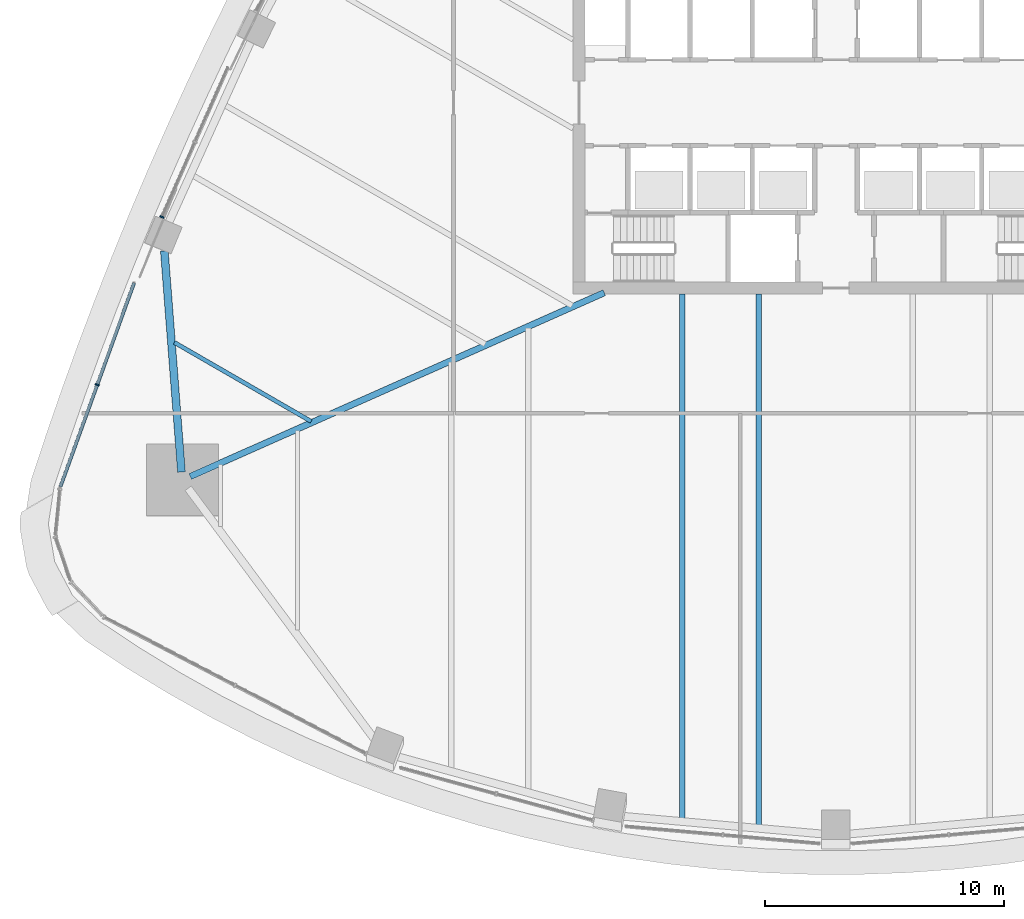
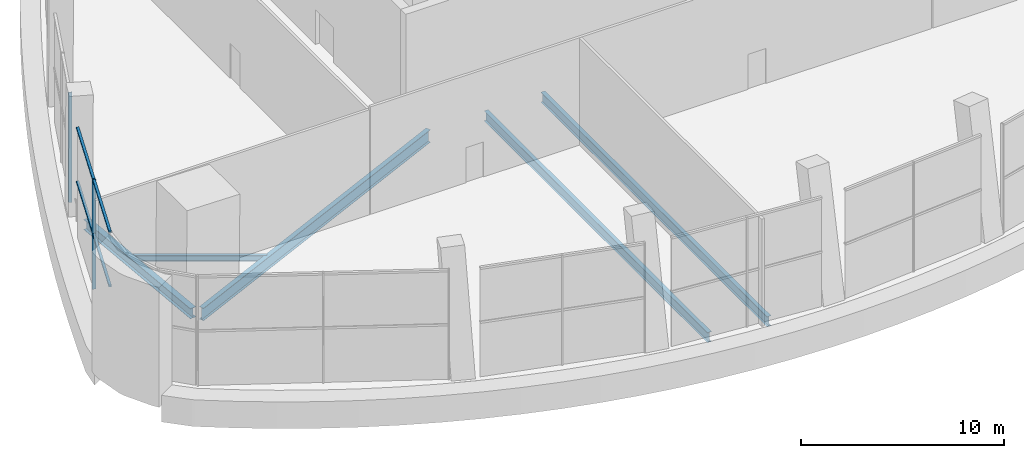
# One storey, part 3 of 23: 6 members, 5 beams, 2 elements without a shape of their own.
"""IFC4 building model written with IfcOpenShell, lengths in metres."""

from ifc_helpers import new_model, si_unit, direction, frame, origin, origin_2d, place, context, subcontext, project, spatial, rectangle, i_section, extrude, material, layer, layer_set, material_profile, profile_set, type_object, element, aggregate, save


model = new_model("IFC4")

# Units and contexts
model_context = context("Model", 3, precision=1e-05, world=origin(), true_north=direction((0.0, 1.0)))
body_context = subcontext(model_context, "Body", "Model", "MODEL_VIEW")
ifc_project = project(units=[si_unit("LENGTHUNIT", "METRE"), si_unit("AREAUNIT", "SQUARE_METRE"), si_unit("VOLUMEUNIT", "CUBIC_METRE"), si_unit("PLANEANGLEUNIT", "RADIAN"), si_unit("MASSUNIT", "GRAM", prefix="KILO")], contexts=[model_context])

# Site, building, storey
site_placement = place(None, origin())
site = spatial("IfcSite", under=ifc_project, at=site_placement, CompositionType="ELEMENT")
building_placement = place(site_placement, origin())
building = spatial("IfcBuilding", under=site, at=building_placement, Name="Sierra Prisma Convention Tower", CompositionType="ELEMENT")
storey_placement = place(building_placement, frame((0.0, 0.0, 40.800048828125)))
storey = spatial("IfcBuildingStorey", under=building, at=storey_placement, Name="L06", CompositionType="ELEMENT", Elevation=40.800048828125)

# Curtain wall, member
ifc_material_1 = material(Name="Aluminium and glass curtain wall", Category="aluminium")
ifc_layer = layer(ifc_material_1, 0.179931640625)
ifc_layer_set = layer_set([ifc_layer], Name="CW-4 Sky lobby double-height curtain wall")
curtain_wall_type = type_object("IfcCurtainWallType", Name="CW-4 Sky lobby double-height curtain wall", PredefinedType="NOTDEFINED", material=ifc_layer_set)
curtain_wall_1_placement = place(storey_placement, origin())
curtain_wall_1 = element("IfcCurtainWall", 1, at=curtain_wall_1_placement, inside=storey, type_object=curtain_wall_type, Name="CW-4 NW5 L06", PredefinedType="NOTDEFINED")
ifc_material_2 = material(Name="Aluminium 6063-T6 bronze anodised", Category="aluminium")
ifc_material_profile_1 = material_profile(ifc_material_2, rectangle(XDim=0.179931640625, YDim=0.070068359375, at=origin_2d()), Name="ALU MULLION 70x180")
ifc_profile_set_1 = profile_set([ifc_material_profile_1], Name="Aluminium 6063-T6 bronze anodised")
member_type_1 = type_object("IfcMemberType", Name="CW mullion bronze", PredefinedType="MULLION", material=ifc_profile_set_1)
member_1_placement = place(storey_placement, frame((-28.20166015625, -4.782958984375, 0.0), z_axis=(0.0, 0.0, 1.0), x_axis=(0.915207126716, -0.40298376544, 0.0)))
member_1 = element("IfcMember", 2, at=member_1_placement, type_object=member_type_1, Name="CW-4 mullion NW5.3", PredefinedType="MULLION", context=body_context, shape_type="SweptSolid", body=[
    extrude(rectangle(XDim=0.179931640625, YDim=0.070068359375, at=origin_2d()), origin(), (0.0, 0.0, 1.0), 6.599853515625),
])
aggregate(curtain_wall_1, [member_1])

# Curtain wall, members
curtain_wall_2_placement = place(storey_placement, origin())
curtain_wall_2 = element("IfcCurtainWall", 3, at=curtain_wall_2_placement, inside=storey, type_object=curtain_wall_type, Name="CW-4 NW6 L06", PredefinedType="NOTDEFINED")
member_2_placement = place(storey_placement, frame((-30.905517578125, -11.8017578125, 0.0), z_axis=(0.0, 0.0, 1.0), x_axis=(0.94047850011, -0.339853190115, 0.0)))
member_2 = element("IfcMember", 4, at=member_2_placement, type_object=member_type_1, Name="CW-4 mullion NW6.2", PredefinedType="MULLION", context=body_context, shape_type="SweptSolid", body=[
    extrude(rectangle(XDim=0.179931640625, YDim=0.070068359375, at=origin_2d()), origin(), (0.0, 0.0, 1.0), 6.599853515625),
])
ifc_material_3 = material(Name="Aluminium 6063-T6 bronze anodised", Category="aluminium")
ifc_material_profile_2 = material_profile(ifc_material_3, rectangle(XDim=0.139892578125, YDim=0.1201171875, at=origin_2d()), Name="ALU TRANSOM 120x140")
ifc_profile_set_2 = profile_set([ifc_material_profile_2], Name="Aluminium 6063-T6 bronze anodised")
member_type_2 = type_object("IfcMemberType", Name="CW transom bronze", PredefinedType="USERDEFINED", material=ifc_profile_set_2)
member_3_placement = place(storey_placement, frame((-29.36328125, -7.533935546875, 6.5400390625), z_axis=(-0.339844307488, -0.940481709906, 0.0), x_axis=(0.940481709906, -0.339844307488, 0.0)))
member_3 = element("IfcMember", 5, at=member_3_placement, type_object=member_type_2, Name="CW-4 transom NW6.1", ObjectType="TRANSOM", PredefinedType="USERDEFINED", context=body_context, shape_type="SweptSolid", body=[
    extrude(rectangle(XDim=0.139892578125, YDim=0.1201171875, at=origin_2d()), origin(), (0.0, 0.0, 1.0), 4.5029296875),
])
member_4_placement = place(storey_placement, frame((-29.36328125, -7.533935546875, 3.300048828125), z_axis=(-0.339844307488, -0.940481709906, 0.0), x_axis=(0.940481709906, -0.339844307488, 0.0)))
member_4 = element("IfcMember", 6, at=member_4_placement, type_object=member_type_2, Name="CW-4 transom NW6.1 mid", ObjectType="TRANSOM", PredefinedType="USERDEFINED", context=body_context, shape_type="SweptSolid", body=[
    extrude(rectangle(XDim=0.139892578125, YDim=0.1201171875, at=origin_2d()), origin(), (0.0, 0.0, 1.0), 4.5029296875),
])
member_5_placement = place(storey_placement, frame((-30.917236328125, -11.834716796875, 6.5400390625), z_axis=(-0.339861637628, -0.940475447457, 0.0), x_axis=(0.940475447457, -0.339861637628, 0.0)))
member_5 = element("IfcMember", 7, at=member_5_placement, type_object=member_type_2, Name="CW-4 transom NW6.2", ObjectType="TRANSOM", PredefinedType="USERDEFINED", context=body_context, shape_type="SweptSolid", body=[
    extrude(rectangle(XDim=0.139892578125, YDim=0.1201171875, at=origin_2d()), origin(), (0.0, 0.0, 1.0), 4.502685546875),
])
member_6_placement = place(storey_placement, frame((-30.917236328125, -11.834716796875, 3.300048828125), z_axis=(-0.339861637628, -0.940475447457, 0.0), x_axis=(0.940475447457, -0.339861637628, 0.0)))
member_6 = element("IfcMember", 8, at=member_6_placement, type_object=member_type_2, Name="CW-4 transom NW6.2 mid", ObjectType="TRANSOM", PredefinedType="USERDEFINED", context=body_context, shape_type="SweptSolid", body=[
    extrude(rectangle(XDim=0.139892578125, YDim=0.1201171875, at=origin_2d()), origin(), (0.0, 0.0, 1.0), 4.502685546875),
])
aggregate(curtain_wall_2, [member_2, member_3, member_4, member_5, member_6])

# Beams
ifc_material_4 = material(Name="Steel ASTM A992 Gr 50", Category="steel")
ifc_material_profile_3 = material_profile(ifc_material_4, i_section(OverallWidth=0.172119140625, OverallDepth=0.35791015625, WebThickness=0.0078125, FlangeThickness=0.01318359375, at=origin_2d()), Name="W360x57")
ifc_profile_set_3 = profile_set([ifc_material_profile_3], Name="Steel ASTM A992 Gr 50")
beam_type_1 = type_object("IfcBeamType", Name="Floor joist W360x57", PredefinedType="JOIST", material=ifc_profile_set_3)
beam_1_placement = place(storey_placement, frame((-27.6796875, -10.031982421875, -0.3291015625), z_axis=(0.866034931244, -0.499983497593, 0.0), x_axis=(0.499983497593, 0.866034931244, 0.0)))
element("IfcBeam", 9, at=beam_1_placement, inside=storey, type_object=beam_type_1, Name="Floor joist L06 NW16", PredefinedType="JOIST", context=body_context, shape_type="SweptSolid", body=[
    extrude(i_section(OverallWidth=0.172119140625, OverallDepth=0.35791015625, WebThickness=0.0078125, FlangeThickness=0.01318359375, at=origin_2d()), origin(), (0.0, 0.0, 1.0), 6.611572265625),
])
ifc_material_5 = material(Name="Steel ASTM A992 Gr 50", Category="steel")
ifc_material_profile_4 = material_profile(ifc_material_5, i_section(OverallWidth=0.22802734375, OverallDepth=0.60302734375, WebThickness=0.010498046875, FlangeThickness=0.014892578125, at=origin_2d()), Name="W610x101")
ifc_profile_set_4 = profile_set([ifc_material_profile_4], Name="Steel ASTM A992 Gr 50")
beam_type_2 = type_object("IfcBeamType", Name="Floor joist W610x101", PredefinedType="JOIST", material=ifc_profile_set_4)
beam_2_placement = place(storey_placement, frame((-6.4365234375, -29.96435546875, -0.45166015625), z_axis=(0.0, 1.0, 0.0), x_axis=(-1.0, 0.0, 0.0)))
element("IfcBeam", 10, at=beam_2_placement, inside=storey, type_object=beam_type_2, Name="Floor joist L06 S07", PredefinedType="JOIST", context=body_context, shape_type="SweptSolid", body=[
    extrude(i_section(OverallWidth=0.22802734375, OverallDepth=0.60302734375, WebThickness=0.010498046875, FlangeThickness=0.014892578125, at=origin_2d()), origin(), (0.0, 0.0, 1.0), 21.96435546875),
])
beam_3_placement = place(storey_placement, frame((-3.21826171875, -30.250732421875, -0.45166015625), z_axis=(0.0, 1.0, 0.0), x_axis=(-1.0, 0.0, 0.0)))
element("IfcBeam", 11, at=beam_3_placement, inside=storey, type_object=beam_type_2, Name="Floor joist L06 S08", PredefinedType="JOIST", context=body_context, shape_type="SweptSolid", body=[
    extrude(i_section(OverallWidth=0.22802734375, OverallDepth=0.60302734375, WebThickness=0.010498046875, FlangeThickness=0.014892578125, at=origin_2d()), origin(), (0.0, 0.0, 1.0), 22.250732421875),
])
ifc_material_6 = material(Name="Steel ASTM A992 Gr 50", Category="steel")
ifc_material_profile_5 = material_profile(ifc_material_6, i_section(OverallWidth=0.264892578125, OverallDepth=0.7529296875, WebThickness=0.01318359375, FlangeThickness=0.01708984375, at=origin_2d()), Name="W760x147")
ifc_profile_set_5 = profile_set([ifc_material_profile_5], Name="Steel ASTM A992 Gr 50")
beam_type_3 = type_object("IfcBeamType", Name="Radial girder W760x147", PredefinedType="BEAM", material=ifc_profile_set_5)
beam_4_placement = place(storey_placement, frame((-27.01513671875, -15.642578125, -0.526611328125), z_axis=(0.91398196052, 0.405754822331, 0.0), x_axis=(-0.405754822331, 0.91398196052, 0.0)))
element("IfcBeam", 12, at=beam_4_placement, inside=storey, type_object=beam_type_3, Name="Radial girder L06 SW", PredefinedType="BEAM", context=body_context, shape_type="SweptSolid", body=[
    extrude(i_section(OverallWidth=0.264892578125, OverallDepth=0.7529296875, WebThickness=0.01318359375, FlangeThickness=0.01708984375, at=origin_2d()), origin(), (0.0, 0.0, 1.0), 18.955078125),
])
ifc_material_7 = material(Name="Steel ASTM A992 Gr 50", Category="steel")
ifc_material_profile_6 = material_profile(ifc_material_7, i_section(OverallWidth=0.324951171875, OverallDepth=0.615966796875, WebThickness=0.013916015625, FlangeThickness=0.021484375, at=origin_2d()), Name="W610x174")
ifc_profile_set_6 = profile_set([ifc_material_profile_6], Name="Steel ASTM A992 Gr 50")
beam_type_4 = type_object("IfcBeamType", Name="Spandrel beam W610x174", PredefinedType="BEAM", material=ifc_profile_set_6)
beam_5_placement = place(storey_placement, frame((-28.09765625, -6.20361328125, -0.4580078125), z_axis=(0.077209640736, -0.997014880219, 0.0), x_axis=(0.997014880219, 0.077209640736, 0.0)))
element("IfcBeam", 13, at=beam_5_placement, inside=storey, type_object=beam_type_4, Name="Spandrel L06-18", PredefinedType="BEAM", context=body_context, shape_type="SweptSolid", body=[
    extrude(i_section(OverallWidth=0.324951171875, OverallDepth=0.615966796875, WebThickness=0.013916015625, FlangeThickness=0.021484375, at=origin_2d()), origin(), (0.0, 0.0, 1.0), 9.27734375),
])

save(model, "model.ifc")
